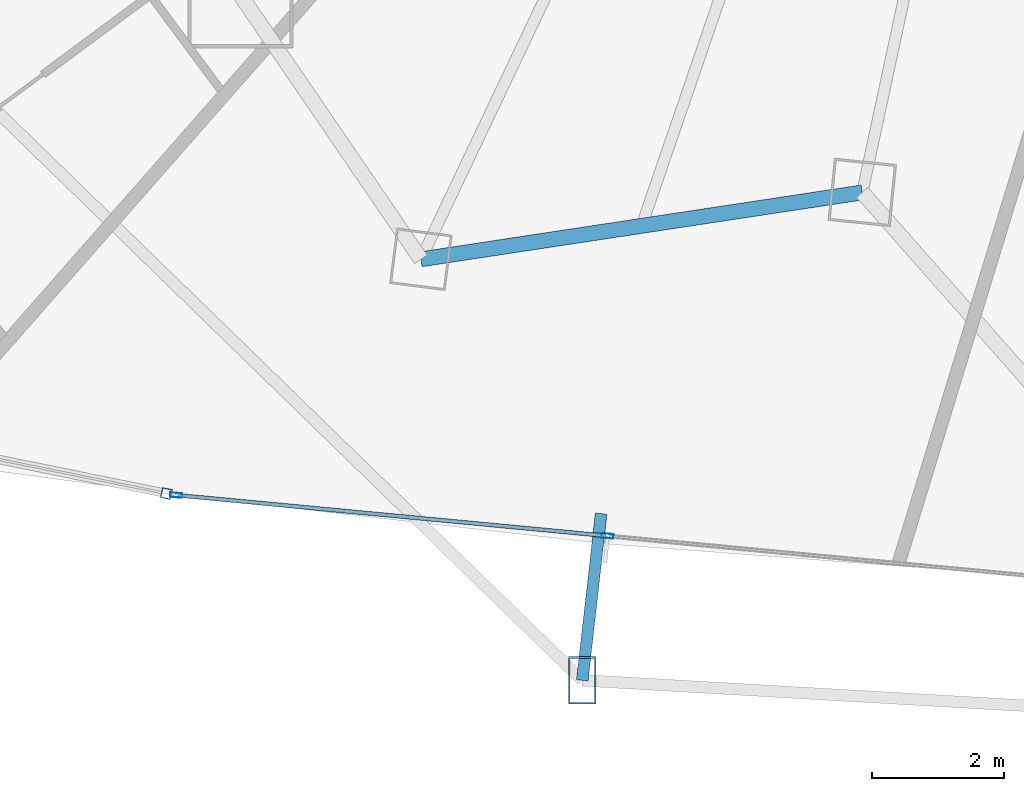
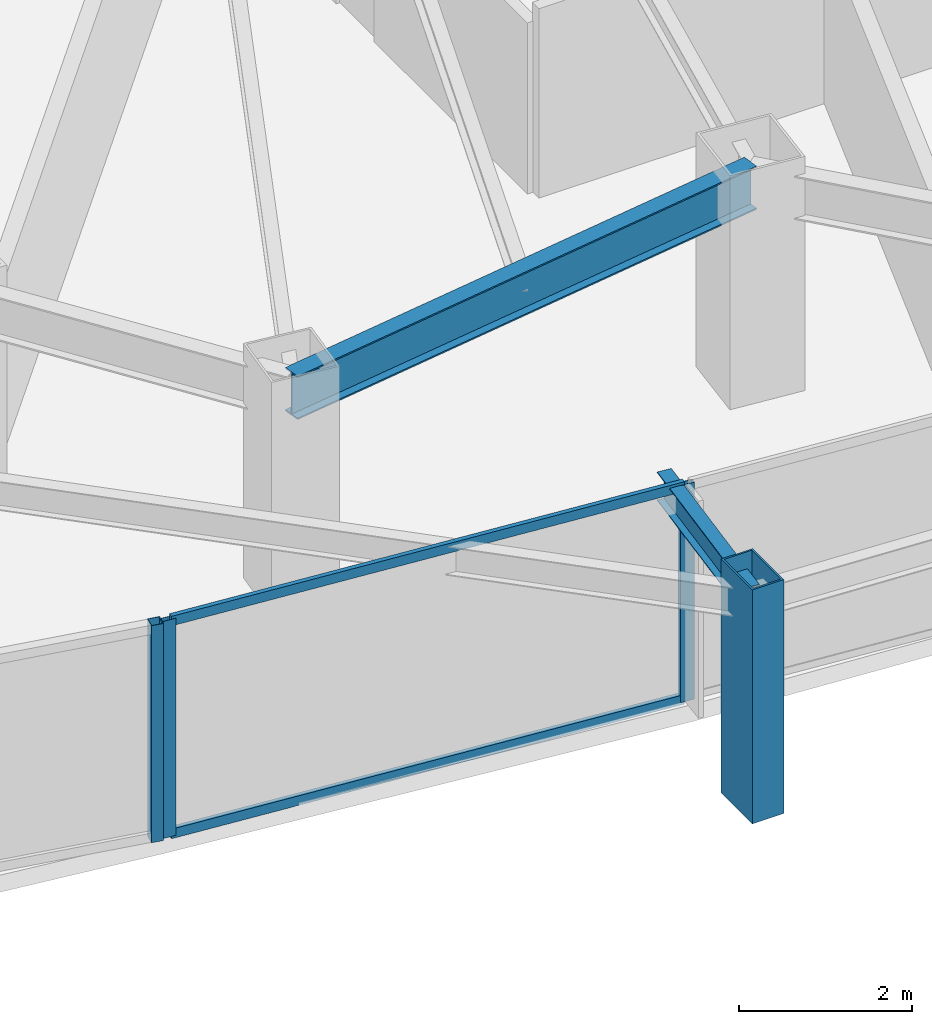
# One storey, part 4 of 38: 6 members, 2 beams, 2 elements without a shape of their own.
"""IFC4 building model written with IfcOpenShell, lengths in metres."""

from ifc_helpers import new_model, si_unit, direction, frame, origin, origin_2d, place, context, subcontext, project, spatial, hollow_rectangle, i_section, extrude, material, layer, layer_set, material_profile, profile_set, type_object, element, aggregate, save


model = new_model("IFC4")

# Units and contexts
model_context = context("Model", 3, precision=1e-05, world=origin(), true_north=direction((0.0, 1.0)))
body_context = subcontext(model_context, "Body", "Model", "MODEL_VIEW")
ifc_project = project(units=[si_unit("LENGTHUNIT", "METRE"), si_unit("AREAUNIT", "SQUARE_METRE"), si_unit("VOLUMEUNIT", "CUBIC_METRE"), si_unit("PLANEANGLEUNIT", "RADIAN"), si_unit("MASSUNIT", "GRAM", prefix="KILO")], contexts=[model_context])

# Site, building, storey
site_placement = place(None, origin())
site = spatial("IfcSite", under=ifc_project, at=site_placement, CompositionType="ELEMENT")
building_placement = place(site_placement, origin())
building = spatial("IfcBuilding", under=site, at=building_placement, Name="Orvanel Arch Residences", CompositionType="ELEMENT")
storey_placement = place(building_placement, frame((0.0, 0.0, 46.699951171875)))
storey = spatial("IfcBuildingStorey", under=building, at=storey_placement, Name="L12", CompositionType="ELEMENT", Elevation=46.699951171875)

# Member
ifc_material_1 = material(Name="Structural steel AS/NZS 3678 Grade 350", Category="steel")
ifc_material_profile_1 = material_profile(ifc_material_1, hollow_rectangle(XDim=0.419921875, YDim=0.719970703125, WallThickness=0.02490234375, at=origin_2d()), Name="RHS720x420x25")
ifc_profile_set_1 = profile_set([ifc_material_profile_1], Name="Structural steel AS/NZS 3678 Grade 350")
member_type_1 = type_object("IfcMemberType", Name="CH-720RHS-EXT", PredefinedType="CHORD", material=ifc_profile_set_1)
member_1_placement = place(storey_placement, frame((19.39306640625, -0.06005859375, 0.0), z_axis=(0.0, 0.0, 1.0), x_axis=(1.0, 0.0, 0.0)))
element("IfcMember", 1, at=member_1_placement, inside=storey, type_object=member_type_1, Name="L12 Outer Perimeter Frame Post 05", PredefinedType="CHORD", context=body_context, shape_type="SweptSolid", body=[
    extrude(hollow_rectangle(XDim=0.419921875, YDim=0.719970703125, WallThickness=0.02490234375, at=origin_2d()), origin(), (0.0, 0.0, 1.0), 3.300048828125),
])

# Curtain wall, member
ifc_material_2 = material(Name="Bronze-anodised aluminium AA6063-T6", Category="aluminium")
ifc_layer_1 = layer(ifc_material_2, 0.18994140625)
ifc_layer_set_1 = layer_set([ifc_layer_1], Name="Bronze-anodised aluminium AA6063-T6")
curtain_wall_type_1 = type_object("IfcCurtainWallType", Name="CW5-CRN-SYS", PredefinedType="NOTDEFINED", material=ifc_layer_set_1)
curtain_wall_1_placement = place(storey_placement, origin())
curtain_wall_1 = element("IfcCurtainWall", 2, at=curtain_wall_1_placement, inside=storey, type_object=curtain_wall_type_1, Name="L12 CW5-CRN-SYS Unitised Curtain Wall", PredefinedType="NOTDEFINED")
ifc_material_profile_2 = material_profile(ifc_material_2, hollow_rectangle(XDim=0.14990234375, YDim=0.14990234375, WallThickness=0.0048828125, at=origin_2d()), Name="ALU150x150x5")
ifc_profile_set_2 = profile_set([ifc_material_profile_2], Name="Bronze-anodised aluminium AA6063-T6")
member_type_2 = type_object("IfcMemberType", Name="MUL-150x150", PredefinedType="MULLION", material=ifc_profile_set_2)
member_2_placement = place(storey_placement, frame((13.072509765625, 2.779052734375, 0.0), z_axis=(0.0, 0.0, 1.0), x_axis=(0.199178527808, 0.979963220769, 0.0)))
member_2 = element("IfcMember", 3, at=member_2_placement, type_object=member_type_2, Name="CW-S5 mullion 3", PredefinedType="MULLION", context=body_context, shape_type="SweptSolid", body=[
    extrude(hollow_rectangle(XDim=0.14990234375, YDim=0.14990234375, WallThickness=0.0048828125, at=origin_2d()), origin(), (0.0, 0.0, 1.0), 3.06005859375),
])
aggregate(curtain_wall_1, [member_2])

# Curtain wall, members
ifc_layer_2 = layer(ifc_material_2, 0.179931640625)
ifc_layer_set_2 = layer_set([ifc_layer_2], Name="Bronze-anodised aluminium AA6063-T6")
curtain_wall_type_2 = type_object("IfcCurtainWallType", Name="CW2-LOW-SYS", PredefinedType="NOTDEFINED", material=ifc_layer_set_2)
curtain_wall_2_placement = place(storey_placement, origin())
curtain_wall_2 = element("IfcCurtainWall", 4, at=curtain_wall_2_placement, inside=storey, type_object=curtain_wall_type_2, Name="L12 CW2-LOW-SYS Unitised Curtain Wall", PredefinedType="NOTDEFINED")
ifc_material_profile_3 = material_profile(ifc_material_2, hollow_rectangle(XDim=0.070068359375, YDim=0.179931640625, WallThickness=0.00439453125, at=origin_2d()), Name="ALU180x70x4.5")
ifc_profile_set_3 = profile_set([ifc_material_profile_3], Name="Bronze-anodised aluminium AA6063-T6")
member_type_3 = type_object("IfcMemberType", Name="MUL-180x70", PredefinedType="MULLION", material=ifc_profile_set_3)
member_3_placement = place(storey_placement, frame((13.220947265625, 2.754638671875, 0.0), z_axis=(0.0, 0.0, 1.0), x_axis=(0.094246004419, 0.995548939355, 0.0)))
member_3 = element("IfcMember", 5, at=member_3_placement, type_object=member_type_3, Name="CW-S2 mullion 1", PredefinedType="MULLION", context=body_context, shape_type="SweptSolid", body=[
    extrude(hollow_rectangle(XDim=0.070068359375, YDim=0.179931640625, WallThickness=0.00439453125, at=origin_2d()), origin(), (0.0, 0.0, 1.0), 3.06005859375),
])
member_4_placement = place(storey_placement, frame((19.777587890625, 2.134033203125, 0.0), z_axis=(0.0, 0.0, 1.0), x_axis=(0.094246004419, 0.995548939355, 0.0)))
member_4 = element("IfcMember", 6, at=member_4_placement, type_object=member_type_3, Name="CW-S2 mullion 2", PredefinedType="MULLION", context=body_context, shape_type="SweptSolid", body=[
    extrude(hollow_rectangle(XDim=0.070068359375, YDim=0.179931640625, WallThickness=0.00439453125, at=origin_2d()), origin(), (0.0, 0.0, 1.0), 3.06005859375),
])

# Beams
ifc_material_3 = material(Name="Structural steel AS/NZS 3679.1 Grade 300 (300 MPa)", Category="steel")
ifc_material_profile_4 = material_profile(ifc_material_3, i_section(OverallWidth=0.177978515625, OverallDepth=0.406005859375, WebThickness=0.0078125, FlangeThickness=0.0126953125, at=origin_2d()), Name="410UB59.7")
ifc_profile_set_4 = profile_set([ifc_material_profile_4], Name="Structural steel AS/NZS 3679.1 Grade 300 (300 MPa)")
beam_type_1 = type_object("IfcBeamType", Name="OB-410UB-EXT", PredefinedType="SPANDREL", material=ifc_profile_set_4)
beam_1_placement = place(storey_placement, frame((19.679931640625, 2.472900390625, 2.85693359375), z_axis=(-0.112533619601, -0.993647917755, 0.0), x_axis=(0.993647917755, -0.112533619601, 0.0)))
element("IfcBeam", 7, at=beam_1_placement, inside=storey, type_object=beam_type_1, Name="L12 Outer Frame Radial Tie Beam 05", PredefinedType="SPANDREL", context=body_context, shape_type="SweptSolid", body=[
    extrude(i_section(OverallWidth=0.177978515625, OverallDepth=0.406005859375, WebThickness=0.0078125, FlangeThickness=0.0126953125, at=origin_2d()), origin(), (0.0, 0.0, 1.0), 2.549072265625),
])
ifc_material_profile_5 = material_profile(ifc_material_3, i_section(OverallWidth=0.22900390625, OverallDepth=0.612060546875, WebThickness=0.011962890625, FlangeThickness=0.01953125, at=origin_2d()), Name="610UB125")
ifc_profile_set_5 = profile_set([ifc_material_profile_5], Name="Structural steel AS/NZS 3679.1 Grade 300 (300 MPa)")
beam_type_2 = type_object("IfcBeamType", Name="SP-610UB", PredefinedType="SPANDREL", material=ifc_profile_set_5)
beam_2_placement = place(storey_placement, frame((16.94091796875, 6.339111328125, 2.754150390625), z_axis=(0.988726323014, 0.149733958002, 0.0), x_axis=(-0.149733958002, 0.988726323014, 0.0)))
element("IfcBeam", 8, at=beam_2_placement, inside=storey, type_object=beam_type_2, Name="L12 Perimeter Spandrel Beam 04", PredefinedType="SPANDREL", context=body_context, shape_type="SweptSolid", body=[
    extrude(i_section(OverallWidth=0.22900390625, OverallDepth=0.612060546875, WebThickness=0.011962890625, FlangeThickness=0.01953125, at=origin_2d()), origin(), (0.0, 0.0, 1.0), 6.784423828125),
])

# Member
ifc_material_profile_6 = material_profile(ifc_material_2, hollow_rectangle(XDim=0.06005859375, YDim=0.135009765625, WallThickness=0.00390625, at=origin_2d()), Name="ALU135x60x4")
ifc_profile_set_6 = profile_set([ifc_material_profile_6], Name="Bronze-anodised aluminium AA6063-T6")
member_type_4 = type_object("IfcMemberType", Name="TRN-135x60", PredefinedType="USERDEFINED", material=ifc_profile_set_6)
member_5_placement = place(storey_placement, frame((13.255615234375, 2.75146484375, 0.030029296875), z_axis=(0.995546853795, -0.094268032221, 0.0), x_axis=(0.094268032221, 0.995546853795, 0.0)))
member_5 = element("IfcMember", 9, at=member_5_placement, type_object=member_type_4, Name="CW-S2 transom 1.1", ObjectType="TRANSOM", PredefinedType="USERDEFINED", context=body_context, shape_type="SweptSolid", body=[
    extrude(hollow_rectangle(XDim=0.06005859375, YDim=0.135009765625, WallThickness=0.00390625, at=origin_2d()), origin(), (0.0, 0.0, 1.0), 6.51611328125),
])

member_6_placement = place(storey_placement, frame((13.255615234375, 2.75146484375, 3.030029296875), z_axis=(0.995546853795, -0.094268032221, 0.0), x_axis=(0.094268032221, 0.995546853795, 0.0)))
member_6 = element("IfcMember", 10, at=member_6_placement, type_object=member_type_4, Name="CW-S2 transom 1.2", ObjectType="TRANSOM", PredefinedType="USERDEFINED", context=body_context, shape_type="SweptSolid", body=[
    extrude(hollow_rectangle(XDim=0.06005859375, YDim=0.135009765625, WallThickness=0.00390625, at=origin_2d()), origin(), (0.0, 0.0, 1.0), 6.51611328125),
])

aggregate(curtain_wall_2, [member_3, member_4, member_5, member_6])

save(model, "model.ifc")
